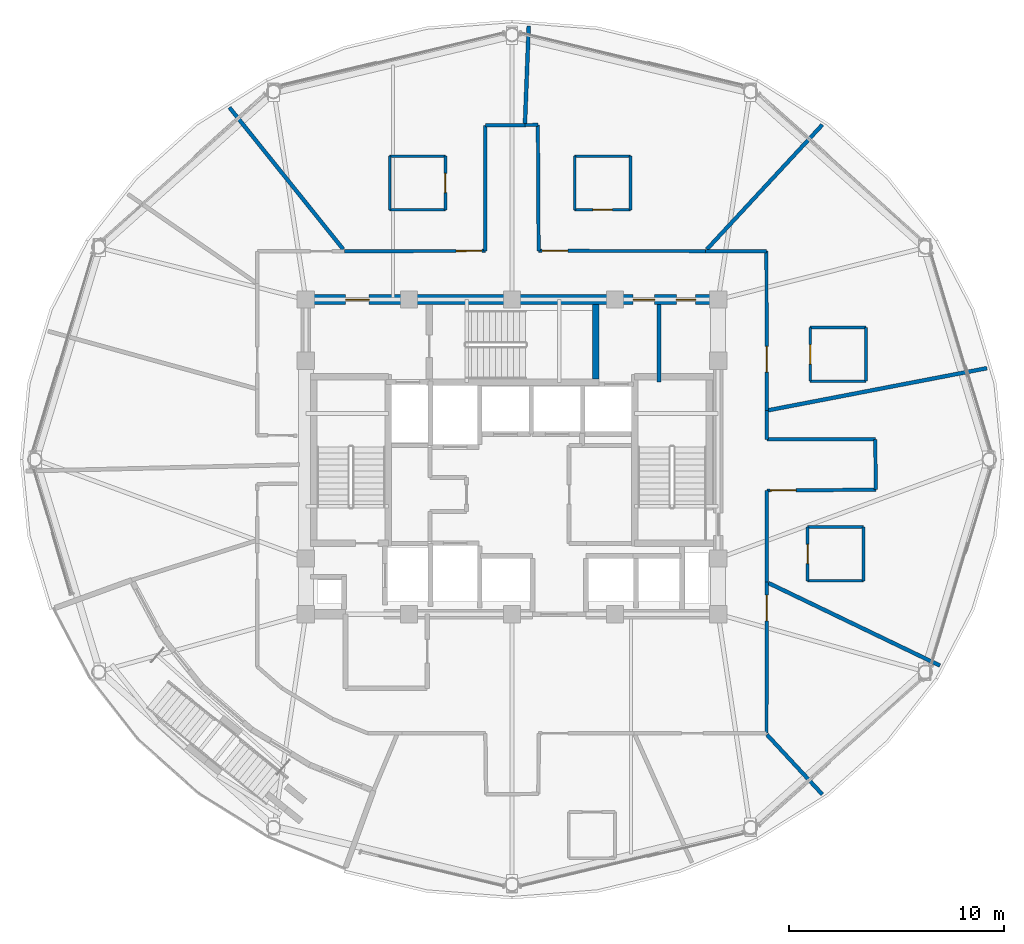
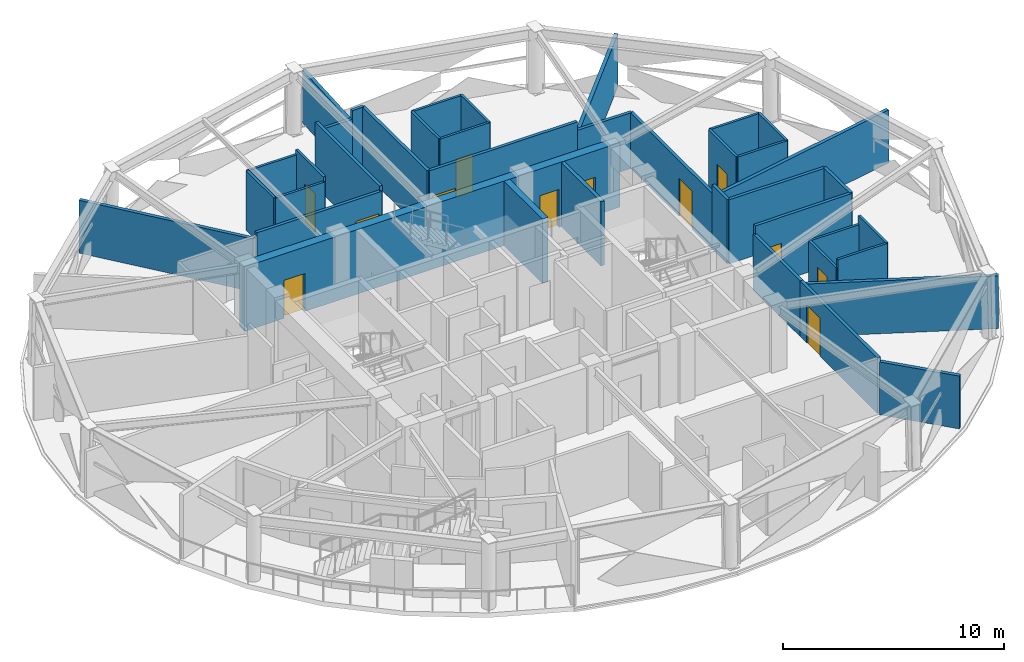
# One storey, part 12 of 17: 39 walls, 12 doors, 12 openings.
"""IFC4 building model written with IfcOpenShell, lengths in metres."""

import ifcopenshell
import ifcopenshell.guid

model = None  # the IFC model being written
_history = None  # IfcOwnerHistory: only IFC2X3 demands one
_inside = {}  # id of a spatial element -> (the spatial element, [elements in it])
_under = {}  # id of a project, library or spatial element -> (it, [spatial elements below it])
_declared = {}  # id of a project -> (the project, [libraries it declares])
_typed = {}  # id of a type object -> (the type object, [elements of that type])
_made_of = {}  # id of a material, layer set ... -> (it, [elements and type objects made of it])


def new_model(schema):
    """Start an empty IFC model of exactly this schema.

    Asked for "IFC4X3", IfcOpenShell would pick the latest addendum, in which some entities
    have other attributes; the version numbers below select the first issue.
    IFC2X3 requires an IfcOwnerHistory on every rooted entity: one is made here for all.
    """
    global model, _history
    if schema == "IFC4X3":
        model = ifcopenshell.file(schema_version=(4, 3, 0, 0))
    else:
        model = ifcopenshell.file(schema=schema)
    _inside.clear()
    _under.clear()
    _declared.clear()
    _typed.clear()
    _made_of.clear()
    _history = None
    if model.schema == "IFC2X3":
        org = make("IfcOrganization", Name="unknown")
        user = make(
            "IfcPersonAndOrganization",
            ThePerson=make("IfcPerson", FamilyName="unknown"),
            TheOrganization=org,
        )
        app = make(
            "IfcApplication",
            ApplicationDeveloper=org,
            Version="unknown",
            ApplicationFullName="unknown",
            ApplicationIdentifier="unknown",
        )
        _history = make(
            "IfcOwnerHistory",
            OwningUser=user,
            OwningApplication=app,
            ChangeAction="ADDED",
            CreationDate=0,
        )
    return model


def make(cls, **values):
    """One entity of the class cls with the attributes given. An attribute that is None is left unset."""
    return model.create_entity(
        cls, **{name: value for name, value in values.items() if value is not None}
    )


def rooted(cls, **values):
    """An entity with a GlobalId (a new one), such as an element, a storey or a relation."""
    return make(cls, GlobalId=ifcopenshell.guid.new(), OwnerHistory=_history, **values)


def si_unit(unit_type, name, prefix=None):
    """IfcSIUnit, for example si_unit("LENGTHUNIT", "METRE", prefix="MILLI")."""
    return make("IfcSIUnit", UnitType=unit_type, Prefix=prefix, Name=name)


def assignment(units):
    """IfcUnitAssignment: the units of a project."""
    return None if units is None else make("IfcUnitAssignment", Units=units)


def point(xyz):
    """IfcCartesianPoint."""
    return None if xyz is None else make("IfcCartesianPoint", Coordinates=xyz)


def direction(xyz):
    """IfcDirection."""
    return None if xyz is None else make("IfcDirection", DirectionRatios=xyz)


def frame(location, z_axis=None, x_axis=None):
    """IfcAxis2Placement3D, a coordinate frame: its origin and axes. An axis left out is left unset."""
    return make(
        "IfcAxis2Placement3D",
        Location=point(location),
        Axis=direction(z_axis),
        RefDirection=direction(x_axis),
    )


def frame_2d(location, x_axis=None):
    """IfcAxis2Placement2D, a coordinate frame in the plane: its origin and x axis."""
    return make(
        "IfcAxis2Placement2D", Location=point(location), RefDirection=direction(x_axis)
    )


def origin():
    """The frame at (0, 0, 0) with its axes left unset."""
    return frame((0.0, 0.0, 0.0))


def place(relative_to, where):
    """IfcLocalPlacement: puts the frame where relative to a parent placement (None: the world)."""
    return make(
        "IfcLocalPlacement", PlacementRelTo=relative_to, RelativePlacement=where
    )


def context(
    kind, dimensions, precision=None, world=None, true_north=None, identifier=None
):
    """IfcGeometricRepresentationContext, for example the 3D "Model" context."""
    return make(
        "IfcGeometricRepresentationContext",
        ContextIdentifier=identifier,
        ContextType=kind,
        CoordinateSpaceDimension=dimensions,
        Precision=precision,
        WorldCoordinateSystem=world,
        TrueNorth=true_north,
    )


def subcontext(parent, identifier, kind, view, scale=None):
    """IfcGeometricRepresentationSubContext, for example "Body" below "Model"."""
    return make(
        "IfcGeometricRepresentationSubContext",
        ContextIdentifier=identifier,
        ContextType=kind,
        ParentContext=parent,
        TargetScale=scale,
        TargetView=view,
    )


def project(units=None, contexts=None):
    """IfcProject with its units and contexts."""
    return rooted(
        "IfcProject",
        Name="project",
        RepresentationContexts=contexts,
        UnitsInContext=assignment(units),
    )


def spatial(cls, under=None, at=None, **own):
    """A site, building, storey or space (cls), placed at a placement, below another one or the project."""
    s = rooted(cls, ObjectPlacement=at, **own)
    if under is not None:
        _under.setdefault(under.id(), (under, []))[1].append(s)
    return s


def profile(cls, at=None, kind="AREA", **sizes):
    """A parametric profile (cls). Its sizes go by their IFC names, for example OverallWidth=200.0."""
    return make(cls, ProfileType=kind, Position=at, **sizes)


def rectangle(**sizes):
    """IfcRectangleProfileDef."""
    return profile("IfcRectangleProfileDef", **sizes)


def extrude(swept, where, along, depth):
    """IfcExtrudedAreaSolid: the profile swept, set in the frame where, extruded along a direction by depth."""
    return make(
        "IfcExtrudedAreaSolid",
        SweptArea=swept,
        Position=where,
        ExtrudedDirection=direction(along),
        Depth=depth,
    )


def shape(context_of_items, identifier, shape_type, items):
    """IfcShapeRepresentation: the items that make up one representation, for example the "Body"."""
    return make(
        "IfcShapeRepresentation",
        ContextOfItems=context_of_items,
        RepresentationIdentifier=identifier,
        RepresentationType=shape_type,
        Items=items,
    )


def material(Name=None, Category=None):
    """IfcMaterial."""
    return make("IfcMaterial", Name=Name, Category=Category)


def layer(
    of_material, thickness, ventilated=None, Name=None, Category=None, Priority=None
):
    """IfcMaterialLayer: one layer of a wall or slab, of a material (None: an air gap)."""
    return make(
        "IfcMaterialLayer",
        Material=of_material,
        LayerThickness=thickness,
        IsVentilated=ventilated,
        Name=Name,
        Category=Category,
        Priority=Priority,
    )


def layer_set(layers, Name=None):
    """IfcMaterialLayerSet."""
    return make("IfcMaterialLayerSet", MaterialLayers=layers, LayerSetName=Name)


def made_of(thing, what):
    """Note that an element or type object is made of a material, layer set ...; save() writes the relation."""
    if what is not None:
        _made_of.setdefault(what.id(), (what, []))[1].append(thing)
    return thing


def type_object(cls, material=None, **own):
    """A type object (cls), such as IfcWallType, which elements share."""
    return made_of(rooted(cls, **own), material)


def element(
    cls,
    number,
    at=None,
    inside=None,
    cuts=None,
    type_object=None,
    material=None,
    context=None,
    identifier="Body",
    shape_type=None,
    held_by="IfcProductDefinitionShape",
    body=None,
    shapes=None,
    **own,
):
    """One element of the class cls, such as IfcWall. Its Tag is "e" and its number.

    at: its placement. inside: the storey or other place that contains it. cuts: it is an
    opening in that element (IfcRelVoidsElement). A single representation is given by context,
    identifier, shape_type and body (its items); several are given by shapes. held_by: the class
    of the entity that holds the representations. save() writes the other relations.
    """
    e = rooted(cls, Tag="e%d" % number, ObjectPlacement=at, **own)
    if body is not None:
        shapes = [shape(context, identifier, shape_type, body)]
    if shapes is not None:
        e.Representation = make(held_by, Representations=shapes)
    if inside is not None:
        _inside.setdefault(inside.id(), (inside, []))[1].append(e)
    if cuts is not None:
        rooted(
            "IfcRelVoidsElement", RelatingBuildingElement=cuts, RelatedOpeningElement=e
        )
    if type_object is not None:
        _typed.setdefault(type_object.id(), (type_object, []))[1].append(e)
    return made_of(e, material)


def fill(opening, filler):
    """IfcRelFillsElement: the door or window that sits in an opening."""
    return rooted(
        "IfcRelFillsElement",
        RelatingOpeningElement=opening,
        RelatedBuildingElement=filler,
    )


def aggregate(whole, parts):
    """IfcRelAggregates: a whole, such as a stair, and the parts it consists of."""
    return rooted("IfcRelAggregates", RelatingObject=whole, RelatedObjects=parts)


def save(model, path):
    """Write the relations noted so far, then the file.

    IfcRelAggregates (storeys below a building ...), IfcRelContainedInSpatialStructure (elements
    in a storey), IfcRelDefinesByType, IfcRelAssociatesMaterial and IfcRelDeclares: one each for
    every whole, place, type object, material and project.
    """
    for whole, parts in _under.values():
        aggregate(whole, parts)
    for where, things in _inside.values():
        rooted(
            "IfcRelContainedInSpatialStructure",
            RelatedElements=things,
            RelatingStructure=where,
        )
    for kind, things in _typed.values():
        rooted("IfcRelDefinesByType", RelatedObjects=things, RelatingType=kind)
    for what, things in _made_of.values():
        rooted("IfcRelAssociatesMaterial", RelatedObjects=things, RelatingMaterial=what)
    for by, libraries in _declared.values():
        rooted("IfcRelDeclares", RelatingContext=by, RelatedDefinitions=libraries)
    model.write(path)


model = new_model("IFC4")

# Units and contexts
model_context = context("Model", 3, precision=1e-05, world=origin(), true_north=direction((0.0, 1.0)))
body_context = subcontext(model_context, "Body", "Model", "MODEL_VIEW")
ifc_project = project(units=[si_unit("LENGTHUNIT", "METRE"), si_unit("AREAUNIT", "SQUARE_METRE"), si_unit("VOLUMEUNIT", "CUBIC_METRE"), si_unit("PLANEANGLEUNIT", "RADIAN"), si_unit("MASSUNIT", "GRAM", prefix="KILO")], contexts=[model_context])

# Site, building, storey
site_placement = place(None, origin())
site = spatial("IfcSite", under=ifc_project, at=site_placement, CompositionType="ELEMENT")
building_placement = place(site_placement, origin())
building = spatial("IfcBuilding", under=site, at=building_placement, Name="Vantalir Tower", CompositionType="ELEMENT")
storey_placement = place(building_placement, frame((0.0, 0.0, 208.64990234375)))
storey = spatial("IfcBuildingStorey", under=building, at=storey_placement, Name="L52", CompositionType="ELEMENT", Elevation=208.64990234375)

# Walls
ifc_material_1 = material(Name="Moisture-resistant en-suite partition", Category="gypsum")
ifc_layer_1 = layer(ifc_material_1, 0.125)
ifc_layer_set_1 = layer_set([ifc_layer_1], Name="Moisture-resistant en-suite partition")
wall_type_1 = type_object("IfcWallType", Name="WL-BATH-125", PredefinedType="PARTITIONING", material=ifc_layer_set_1)
for number, where, z_axis, x_axis, name in (
    (1, (45.385986328125, 28.64990234375, 0.0), (0.0, 0.0, 1.0), (1.0, 0.0, 0.0), "L52 En-suite 01 South Wall"),
    (2, (45.385986328125, 31.14990234375, 0.0), (0.0, 0.0, 1.0), (1.0, 0.0, 0.0), "L52 En-suite 01 North Wall"),
):
    element("IfcWall", number, at=place(storey_placement, frame(where, z_axis=z_axis, x_axis=x_axis)), inside=storey, type_object=wall_type_1, Name=name, PredefinedType="PARTITIONING", context=body_context, shape_type="SweptSolid", body=[
        extrude(rectangle(XDim=2.60009765625, YDim=0.125, at=frame_2d((1.300048828125, 0.0))), origin(), (0.0, 0.0, 1.0), 3.550048828125),
    ])

# Wall, opening, door
wall_1_placement = place(storey_placement, frame((45.385986328125, 28.64990234375, 0.0), z_axis=(0.0, 0.0, 1.0), x_axis=(0.0, 1.0, 0.0)))
wall_1 = element("IfcWall", 3, at=wall_1_placement, inside=storey, type_object=wall_type_1, Name="L52 En-suite 01 West Wall", PredefinedType="PARTITIONING", context=body_context, shape_type="SweptSolid", body=[
    extrude(rectangle(XDim=2.5, YDim=0.125, at=frame_2d((1.25, 0.0))), origin(), (0.0, 0.0, 1.0), 3.550048828125),
])
opening_1_placement = place(wall_1_placement, frame((0.800048828125, 0.0, 0.0)))
opening_1 = element("IfcOpeningElement", 4, at=opening_1_placement, cuts=wall_1, Name="Opening D-WC", PredefinedType="OPENING", context=body_context, shape_type="SweptSolid", body=[
    extrude(rectangle(XDim=0.89990234375, YDim=2.10009765625, at=frame_2d((0.449951171875, 1.050048828125))), frame((0.0, 0.072509765625, 0.0), z_axis=(0.0, -1.0, 0.0), x_axis=(1.0, 0.0, 0.0)), (0.0, 0.0, 1.0), 0.14501953125),
])
ifc_material_2 = material(Name="Moisture-resistant hardwood door", Category="wood")
door_type_1 = type_object("IfcDoorType", Name="DR-ENSUITE-900", OperationType="NOTDEFINED", PredefinedType="DOOR", material=ifc_material_2)
door_1_placement = place(opening_1_placement, frame((0.89990234375, 0.0, 0.0), z_axis=(0.0, 0.0, 1.0), x_axis=(-1.0, 0.0, 0.0)))
door_1 = element("IfcDoor", 5, at=door_1_placement, inside=storey, type_object=door_type_1, Name="L52 En-suite 01 Door", OperationType="SINGLE_SWING_RIGHT", OverallHeight=2.10009765625, OverallWidth=0.89990234375, PredefinedType="DOOR", context=body_context, shape_type="SweptSolid", body=[
    extrude(rectangle(XDim=0.89990234375, YDim=2.10009765625, at=frame_2d((0.449951171875, 1.050048828125))), frame((0.0, 0.02490234375, 0.0), z_axis=(0.0, -1.0, 0.0), x_axis=(1.0, 0.0, 0.0)), (0.0, 0.0, 1.0), 0.050048828125),
])
fill(opening_1, door_1)

# Wall
wall_2_placement = place(storey_placement, frame((47.986083984375, 28.64990234375, 0.0), z_axis=(0.0, 0.0, 1.0), x_axis=(0.0, 1.0, 0.0)))
element("IfcWall", 6, at=wall_2_placement, inside=storey, type_object=wall_type_1, Name="L52 En-suite 01 East Wall", PredefinedType="PARTITIONING", context=body_context, shape_type="SweptSolid", body=[
    extrude(rectangle(XDim=2.5, YDim=0.125, at=frame_2d((1.25, 0.0))), origin(), (0.0, 0.0, 1.0), 3.550048828125),
])

# Wall, opening, door
wall_3_placement = place(storey_placement, frame((34.4208984375, 36.6279296875, 0.0), z_axis=(0.0, 0.0, 1.0), x_axis=(1.0, 0.0, 0.0)))
wall_3 = element("IfcWall", 7, at=wall_3_placement, inside=storey, type_object=wall_type_1, Name="L52 En-suite 02 South Wall", PredefinedType="PARTITIONING", context=body_context, shape_type="SweptSolid", body=[
    extrude(rectangle(XDim=2.60009765625, YDim=0.125, at=frame_2d((1.300048828125, 0.0))), origin(), (0.0, 0.0, 1.0), 3.550048828125),
])
opening_2_placement = place(wall_3_placement, frame((0.85009765625, 0.0, 0.0)))
opening_2 = element("IfcOpeningElement", 8, at=opening_2_placement, cuts=wall_3, Name="Opening D-WC", PredefinedType="OPENING", context=body_context, shape_type="SweptSolid", body=[
    extrude(rectangle(XDim=0.89990234375, YDim=2.10009765625, at=frame_2d((0.449951171875, 1.050048828125))), frame((0.0, 0.072509765625, 0.0), z_axis=(0.0, -1.0, 0.0), x_axis=(1.0, 0.0, 0.0)), (0.0, 0.0, 1.0), 0.14501953125),
])
door_2_placement = place(opening_2_placement, origin())
door_2 = element("IfcDoor", 9, at=door_2_placement, inside=storey, type_object=door_type_1, Name="L52 En-suite 02 Door", OperationType="SINGLE_SWING_LEFT", OverallHeight=2.10009765625, OverallWidth=0.89990234375, PredefinedType="DOOR", context=body_context, shape_type="SweptSolid", body=[
    extrude(rectangle(XDim=0.89990234375, YDim=2.10009765625, at=frame_2d((0.449951171875, 1.050048828125))), frame((0.0, 0.02490234375, 0.0), z_axis=(0.0, -1.0, 0.0), x_axis=(1.0, 0.0, 0.0)), (0.0, 0.0, 1.0), 0.050048828125),
])
fill(opening_2, door_2)

# Walls
wall_4_placement = place(storey_placement, frame((34.4208984375, 39.1279296875, 0.0), z_axis=(0.0, 0.0, 1.0), x_axis=(1.0, 0.0, 0.0)))
element("IfcWall", 10, at=wall_4_placement, inside=storey, type_object=wall_type_1, Name="L52 En-suite 02 North Wall", PredefinedType="PARTITIONING", context=body_context, shape_type="SweptSolid", body=[
    extrude(rectangle(XDim=2.60009765625, YDim=0.125, at=frame_2d((1.300048828125, 0.0))), origin(), (0.0, 0.0, 1.0), 3.550048828125),
])
for number, where, z_axis, x_axis, name in (
    (11, (34.4208984375, 36.6279296875, 0.0), (0.0, 0.0, 1.0), (0.0, 1.0, 0.0), "L52 En-suite 02 West Wall"),
    (12, (37.02099609375, 36.6279296875, 0.0), (0.0, 0.0, 1.0), (0.0, 1.0, 0.0), "L52 En-suite 02 East Wall"),
):
    element("IfcWall", number, at=place(storey_placement, frame(where, z_axis=z_axis, x_axis=x_axis)), inside=storey, type_object=wall_type_1, Name=name, PredefinedType="PARTITIONING", context=body_context, shape_type="SweptSolid", body=[
        extrude(rectangle(XDim=2.5, YDim=0.125, at=frame_2d((1.25, 0.0))), origin(), (0.0, 0.0, 1.0), 3.550048828125),
    ])
for number, where, z_axis, x_axis, name in (
    (13, (25.801025390625, 36.6279296875, 0.0), (0.0, 0.0, 1.0), (1.0, 0.0, 0.0), "L52 En-suite 03 South Wall"),
    (14, (25.801025390625, 39.1279296875, 0.0), (0.0, 0.0, 1.0), (1.0, 0.0, 0.0), "L52 En-suite 03 North Wall"),
):
    element("IfcWall", number, at=place(storey_placement, frame(where, z_axis=z_axis, x_axis=x_axis)), inside=storey, type_object=wall_type_1, Name=name, PredefinedType="PARTITIONING", context=body_context, shape_type="SweptSolid", body=[
        extrude(rectangle(XDim=2.599853515625, YDim=0.125, at=frame_2d((1.2998046875, 0.0))), origin(), (0.0, 0.0, 1.0), 3.2890625),
    ])
wall_5_placement = place(storey_placement, frame((25.801025390625, 36.6279296875, 0.0), z_axis=(0.0, 0.0, 1.0), x_axis=(0.0, 1.0, 0.0)))
element("IfcWall", 15, at=wall_5_placement, inside=storey, type_object=wall_type_1, Name="L52 En-suite 03 West Wall", PredefinedType="PARTITIONING", context=body_context, shape_type="SweptSolid", body=[
    extrude(rectangle(XDim=2.5, YDim=0.125, at=frame_2d((1.25, 0.0))), origin(), (0.0, 0.0, 1.0), 3.2890625),
])

# Wall, opening, door
wall_6_placement = place(storey_placement, frame((28.40087890625, 36.6279296875, 0.0), z_axis=(0.0, 0.0, 1.0), x_axis=(0.0, 1.0, 0.0)))
wall_6 = element("IfcWall", 16, at=wall_6_placement, inside=storey, type_object=wall_type_1, Name="L52 En-suite 03 East Wall", PredefinedType="PARTITIONING", context=body_context, shape_type="SweptSolid", body=[
    extrude(rectangle(XDim=2.5, YDim=0.125, at=frame_2d((1.25, 0.0))), origin(), (0.0, 0.0, 1.0), 3.550048828125),
])
opening_3_placement = place(wall_6_placement, frame((0.800048828125, 0.0, 0.0)))
opening_3 = element("IfcOpeningElement", 17, at=opening_3_placement, cuts=wall_6, Name="Opening D-WC", PredefinedType="OPENING", context=body_context, shape_type="SweptSolid", body=[
    extrude(rectangle(XDim=0.89990234375, YDim=2.10009765625, at=frame_2d((0.449951171875, 1.050048828125))), frame((0.0, 0.072509765625, 0.0), z_axis=(0.0, -1.0, 0.0), x_axis=(1.0, 0.0, 0.0)), (0.0, 0.0, 1.0), 0.14501953125),
])
door_3_placement = place(opening_3_placement, origin())
door_3 = element("IfcDoor", 18, at=door_3_placement, inside=storey, type_object=door_type_1, Name="L52 En-suite 03 Door", OperationType="SINGLE_SWING_RIGHT", OverallHeight=2.10009765625, OverallWidth=0.89990234375, PredefinedType="DOOR", context=body_context, shape_type="SweptSolid", body=[
    extrude(rectangle(XDim=0.89990234375, YDim=2.10009765625, at=frame_2d((0.449951171875, 1.050048828125))), frame((0.0, 0.02490234375, 0.0), z_axis=(0.0, -1.0, 0.0), x_axis=(1.0, 0.0, 0.0)), (0.0, 0.0, 1.0), 0.050048828125),
])
fill(opening_3, door_3)

# Walls
wall_7_placement = place(storey_placement, frame((45.262939453125, 19.35693359375, 0.0), z_axis=(0.0, 0.0, 1.0), x_axis=(1.0, 0.0, 0.0)))
element("IfcWall", 19, at=wall_7_placement, inside=storey, type_object=wall_type_1, Name="L52 En-suite 12 South Wall", PredefinedType="PARTITIONING", context=body_context, shape_type="SweptSolid", body=[
    extrude(rectangle(XDim=2.60009765625, YDim=0.125, at=frame_2d((1.300048828125, 0.0))), origin(), (0.0, 0.0, 1.0), 3.550048828125),
])
wall_8_placement = place(storey_placement, frame((45.262939453125, 21.85693359375, 0.0), z_axis=(0.0, 0.0, 1.0), x_axis=(1.0, 0.0, 0.0)))
element("IfcWall", 20, at=wall_8_placement, inside=storey, type_object=wall_type_1, Name="L52 En-suite 12 North Wall", PredefinedType="PARTITIONING", context=body_context, shape_type="SweptSolid", body=[
    extrude(rectangle(XDim=2.60009765625, YDim=0.125, at=frame_2d((1.300048828125, 0.0))), origin(), (0.0, 0.0, 1.0), 3.0810546875),
])

# Wall, opening, door
wall_9_placement = place(storey_placement, frame((45.262939453125, 19.35693359375, 0.0), z_axis=(0.0, 0.0, 1.0), x_axis=(0.0, 1.0, 0.0)))
wall_9 = element("IfcWall", 21, at=wall_9_placement, inside=storey, type_object=wall_type_1, Name="L52 En-suite 12 West Wall", PredefinedType="PARTITIONING", context=body_context, shape_type="SweptSolid", body=[
    extrude(rectangle(XDim=2.5, YDim=0.125, at=frame_2d((1.25, 0.0))), origin(), (0.0, 0.0, 1.0), 3.0810546875),
])
opening_4_placement = place(wall_9_placement, frame((0.800048828125, 0.0, 0.0)))
opening_4 = element("IfcOpeningElement", 22, at=opening_4_placement, cuts=wall_9, Name="Opening D-WC", PredefinedType="OPENING", context=body_context, shape_type="SweptSolid", body=[
    extrude(rectangle(XDim=0.89990234375, YDim=2.10009765625, at=frame_2d((0.449951171875, 1.050048828125))), frame((0.0, 0.072509765625, 0.0), z_axis=(0.0, -1.0, 0.0), x_axis=(1.0, 0.0, 0.0)), (0.0, 0.0, 1.0), 0.14501953125),
])
door_4_placement = place(opening_4_placement, frame((0.89990234375, 0.0, 0.0), z_axis=(0.0, 0.0, 1.0), x_axis=(-1.0, 0.0, 0.0)))
door_4 = element("IfcDoor", 23, at=door_4_placement, inside=storey, type_object=door_type_1, Name="L52 En-suite 12 Door", OperationType="SINGLE_SWING_LEFT", OverallHeight=2.10009765625, OverallWidth=0.89990234375, PredefinedType="DOOR", context=body_context, shape_type="SweptSolid", body=[
    extrude(rectangle(XDim=0.89990234375, YDim=2.10009765625, at=frame_2d((0.449951171875, 1.050048828125))), frame((0.0, 0.02490234375, 0.0), z_axis=(0.0, -1.0, 0.0), x_axis=(1.0, 0.0, 0.0)), (0.0, 0.0, 1.0), 0.050048828125),
])
fill(opening_4, door_4)

# Wall
wall_10_placement = place(storey_placement, frame((47.863037109375, 19.35693359375, 0.0), z_axis=(0.0, 0.0, 1.0), x_axis=(0.0, 1.0, 0.0)))
element("IfcWall", 24, at=wall_10_placement, inside=storey, type_object=wall_type_1, Name="L52 En-suite 12 East Wall", PredefinedType="PARTITIONING", context=body_context, shape_type="SweptSolid", body=[
    extrude(rectangle(XDim=2.5, YDim=0.125, at=frame_2d((1.25, 0.0))), origin(), (0.0, 0.0, 1.0), 3.550048828125),
])

# Wall, openings, doors
ifc_material_3 = material(Name="Concrete C50/60", Category="concrete")
ifc_layer_2 = layer(ifc_material_3, 0.449951171875)
ifc_layer_set_2 = layer_set([ifc_layer_2], Name="Concrete C50/60")
wall_type_2 = type_object("IfcWallType", Name="WL-CORE-450", PredefinedType="SHEAR", material=ifc_layer_set_2)
wall_11_placement = place(storey_placement, frame((21.675048828125, 32.449951171875, 0.0), z_axis=(0.0, 0.0, 1.0), x_axis=(1.0, 0.0, 0.0)))
wall_11 = element("IfcWall", 25, at=wall_11_placement, inside=storey, type_object=wall_type_2, Name="L52 Core Shear Wall North", PredefinedType="SHEAR", context=body_context, shape_type="SweptSolid", body=[
    extrude(rectangle(XDim=19.64990234375, YDim=0.449951171875, at=frame_2d((9.824951171875, 0.0))), origin(), (0.0, 0.0, 1.0), 3.570068359375),
])
opening_5_placement = place(wall_11_placement, frame((2.074951171875, 0.0, 0.0)))
opening_5 = element("IfcOpeningElement", 26, at=opening_5_placement, cuts=wall_11, Name="Opening D-FFL", PredefinedType="OPENING", context=body_context, shape_type="SweptSolid", body=[
    extrude(rectangle(XDim=1.10009765625, YDim=2.10009765625, at=frame_2d((0.550048828125, 1.050048828125))), frame((0.0, 0.23486328125, 0.0), z_axis=(0.0, -1.0, 0.0), x_axis=(1.0, 0.0, 0.0)), (0.0, 0.0, 1.0), 0.469970703125),
])
opening_6_placement = place(wall_11_placement, frame((15.465087890625, 0.0, 0.0)))
opening_6 = element("IfcOpeningElement", 27, at=opening_6_placement, cuts=wall_11, Name="Opening D-GUEST", PredefinedType="OPENING", context=body_context, shape_type="SweptSolid", body=[
    extrude(rectangle(XDim=1.0, YDim=2.10009765625, at=frame_2d((0.5, 1.050048828125))), frame((0.0, 0.23486328125, 0.0), z_axis=(0.0, -1.0, 0.0), x_axis=(1.0, 0.0, 0.0)), (0.0, 0.0, 1.0), 0.469970703125),
])
opening_7_placement = place(wall_11_placement, frame((17.47509765625, 0.0, 0.0)))
opening_7 = element("IfcOpeningElement", 28, at=opening_7_placement, cuts=wall_11, Name="Opening D-CR", PredefinedType="OPENING", context=body_context, shape_type="SweptSolid", body=[
    extrude(rectangle(XDim=0.89990234375, YDim=2.10009765625, at=frame_2d((0.449951171875, 1.050048828125))), frame((0.0, 0.23486328125, 0.0), z_axis=(0.0, -1.0, 0.0), x_axis=(1.0, 0.0, 0.0)), (0.0, 0.0, 1.0), 0.469970703125),
])
ifc_material_4 = material(Name="Fire-rated steel core service door", Category="steel")
door_type_2 = type_object("IfcDoorType", Name="DR-CORE-SERV-900", OperationType="NOTDEFINED", PredefinedType="DOOR", material=ifc_material_4)
door_5_placement = place(opening_7_placement, frame((0.89990234375, 0.0, 0.0), z_axis=(0.0, 0.0, 1.0), x_axis=(-1.0, 0.0, 0.0)))
door_5 = element("IfcDoor", 29, at=door_5_placement, inside=storey, type_object=door_type_2, Name="L52 Housekeeping and Linen Room Door", OperationType="SINGLE_SWING_RIGHT", OverallHeight=2.10009765625, OverallWidth=0.89990234375, PredefinedType="DOOR", context=body_context, shape_type="SweptSolid", body=[
    extrude(rectangle(XDim=0.89990234375, YDim=2.10009765625, at=frame_2d((0.449951171875, 1.050048828125))), frame((0.0, 0.02490234375, 0.0), z_axis=(0.0, -1.0, 0.0), x_axis=(1.0, 0.0, 0.0)), (0.0, 0.0, 1.0), 0.050048828125),
])
fill(opening_7, door_5)
ifc_material_5 = material(Name="Fire-rated acoustic steel door", Category="steel")
door_type_3 = type_object("IfcDoorType", Name="DR-FIRE-LOBBY-1100", OperationType="NOTDEFINED", PredefinedType="DOOR", material=ifc_material_5)
door_6_placement = place(opening_5_placement, frame((1.10009765625, 0.0, 0.0), z_axis=(0.0, 0.0, 1.0), x_axis=(-1.0, 0.0, 0.0)))
door_6 = element("IfcDoor", 30, at=door_6_placement, inside=storey, type_object=door_type_3, Name="L52 Firefighting Lobby East Access Door", OperationType="SINGLE_SWING_RIGHT", OverallHeight=2.10009765625, OverallWidth=1.10009765625, PredefinedType="DOOR", context=body_context, shape_type="SweptSolid", body=[
    extrude(rectangle(XDim=1.10009765625, YDim=2.10009765625, at=frame_2d((0.550048828125, 1.050048828125))), frame((0.0, 0.02490234375, 0.0), z_axis=(0.0, -1.0, 0.0), x_axis=(1.0, 0.0, 0.0)), (0.0, 0.0, 1.0), 0.050048828125),
])
fill(opening_5, door_6)
ifc_material_6 = material(Name="Solid-core teak veneer acoustic fire door", Category="wood")
door_type_4 = type_object("IfcDoorType", Name="DR-GUEST-ENTRY-1000", OperationType="NOTDEFINED", PredefinedType="DOOR", material=ifc_material_6)
door_7_placement = place(opening_6_placement, frame((1.0, 0.0, 0.0), z_axis=(0.0, 0.0, 1.0), x_axis=(-1.0, 0.0, 0.0)))
door_7 = element("IfcDoor", 31, at=door_7_placement, inside=storey, type_object=door_type_4, Name="L52 High-Rise Lift Lobby Door", OperationType="SINGLE_SWING_LEFT", OverallHeight=2.10009765625, OverallWidth=1.0, PredefinedType="DOOR", context=body_context, shape_type="SweptSolid", body=[
    extrude(rectangle(XDim=1.0, YDim=2.10009765625, at=frame_2d((0.5, 1.050048828125))), frame((0.0, 0.02490234375, 0.0), z_axis=(0.0, -1.0, 0.0), x_axis=(1.0, 0.0, 0.0)), (0.0, 0.0, 1.0), 0.050048828125),
])
fill(opening_6, door_7)

# Wall, opening, door
ifc_material_7 = material(Name="Fire-rated hotel corridor acoustic partition", Category="gypsum")
ifc_layer_3 = layer(ifc_material_7, 0.159912109375)
ifc_layer_set_3 = layer_set([ifc_layer_3], Name="Fire-rated hotel corridor acoustic partition")
wall_type_3 = type_object("IfcWallType", Name="WL-CORR-160", PredefinedType="PARTITIONING", material=ifc_layer_set_3)
wall_12_placement = place(storey_placement, frame((23.7109375, 34.7060546875, 0.0), z_axis=(0.0, 0.0, 1.0), x_axis=(0.999999048753, 0.001379309033, 0.0)))
wall_12 = element("IfcWall", 32, at=wall_12_placement, inside=storey, type_object=wall_type_3, Name="L52 Corridor Partition 06", PredefinedType="PARTITIONING", context=body_context, shape_type="SweptSolid", body=[
    extrude(rectangle(XDim=6.549072265625, YDim=0.159912109375, at=frame_2d((3.2744140625, 0.0))), origin(), (0.0, 0.0, 1.0), 3.2890625),
])
opening_8_placement = place(wall_12_placement, frame((5.18896484375, 0.0, 0.0)))
opening_8 = element("IfcOpeningElement", 33, at=opening_8_placement, cuts=wall_12, Name="Opening D-STE", PredefinedType="OPENING", context=body_context, shape_type="SweptSolid", body=[
    extrude(rectangle(XDim=1.199951171875, YDim=2.10009765625, at=frame_2d((0.60009765625, 1.050048828125))), frame((0.0, 0.08984375, 0.0), z_axis=(0.0, -1.0, 0.0), x_axis=(1.0, 0.0, 0.0)), (0.0, 0.0, 1.0), 0.179931640625),
])
ifc_material_8 = material(Name="Solid-core teak veneer suite entrance door", Category="wood")
door_type_5 = type_object("IfcDoorType", Name="DR-SUITE-ENTRY-1200", OperationType="NOTDEFINED", PredefinedType="DOOR", material=ifc_material_8)
door_8_placement = place(opening_8_placement, origin())
door_8 = element("IfcDoor", 34, at=door_8_placement, inside=storey, type_object=door_type_5, Name="L52 Corner Panorama Hotel Suite 03 Door", OperationType="SINGLE_SWING_RIGHT", OverallHeight=2.10009765625, OverallWidth=1.199951171875, PredefinedType="DOOR", context=body_context, shape_type="SweptSolid", body=[
    extrude(rectangle(XDim=1.199951171875, YDim=2.10009765625, at=frame_2d((0.60009765625, 1.050048828125))), frame((0.0, 0.02490234375, 0.0), z_axis=(0.0, -1.0, 0.0), x_axis=(1.0, 0.0, 0.0)), (0.0, 0.0, 1.0), 0.050048828125),
])
fill(opening_8, door_8)

# Walls
wall_13_placement = place(storey_placement, frame((30.260009765625, 34.715087890625, 0.0), z_axis=(0.0, 0.0, 1.0), x_axis=(0.000501399678, 0.999999874299, 0.0)))
element("IfcWall", 35, at=wall_13_placement, inside=storey, type_object=wall_type_3, Name="L52 Corridor Partition 07", PredefinedType="PARTITIONING", context=body_context, shape_type="SweptSolid", body=[
    extrude(rectangle(XDim=5.843017578125, YDim=0.159912109375, at=frame_2d((2.92138671875, 0.0))), origin(), (0.0, 0.0, 1.0), 3.550048828125),
])
wall_14_placement = place(storey_placement, frame((30.262939453125, 40.55810546875, 0.0), z_axis=(0.0, 0.0, 1.0), x_axis=(0.999947707092, 0.01022658699, 0.0)))
element("IfcWall", 36, at=wall_14_placement, inside=storey, type_object=wall_type_3, Name="L52 Corridor Partition 08", PredefinedType="PARTITIONING", context=body_context, shape_type="SweptSolid", body=[
    extrude(rectangle(XDim=1.838134765625, YDim=0.159912109375, at=frame_2d((0.9189453125, 0.0))), origin(), (0.0, 0.0, 1.0), 3.0810546875),
])
wall_15_placement = place(storey_placement, frame((32.10107421875, 40.576904296875, 0.0), z_axis=(0.0, 0.0, 1.0), x_axis=(0.999948781984, 0.010120939089, 0.0)))
element("IfcWall", 37, at=wall_15_placement, inside=storey, type_object=wall_type_3, Name="L52 Corridor Partition 09", PredefinedType="PARTITIONING", context=body_context, shape_type="SweptSolid", body=[
    extrude(rectangle(XDim=0.60302734375, YDim=0.159912109375, at=frame_2d((0.301513671875, 0.0))), origin(), (0.0, 0.0, 1.0), 3.550048828125),
])
wall_16_placement = place(storey_placement, frame((32.7041015625, 40.5830078125, 0.0), z_axis=(0.0, 0.0, 1.0), x_axis=(0.006115966328, -0.999981297303, 0.0)))
element("IfcWall", 38, at=wall_16_placement, inside=storey, type_object=wall_type_3, Name="L52 Corridor Partition 10", PredefinedType="PARTITIONING", context=body_context, shape_type="SweptSolid", body=[
    extrude(rectangle(XDim=5.867919921875, YDim=0.159912109375, at=frame_2d((2.93408203125, 0.0))), origin(), (0.0, 0.0, 1.0), 3.550048828125),
])

# Wall, opening, door
wall_17_placement = place(storey_placement, frame((32.739990234375, 34.715087890625, 0.0), z_axis=(0.0, 0.0, 1.0), x_axis=(0.999999781745, -0.00066068886, 0.0)))
wall_17 = element("IfcWall", 39, at=wall_17_placement, inside=storey, type_object=wall_type_3, Name="L52 Corridor Partition 11", PredefinedType="PARTITIONING", context=body_context, shape_type="SweptSolid", body=[
    extrude(rectangle(XDim=7.760009765625, YDim=0.159912109375, at=frame_2d((3.8798828125, 0.0))), origin(), (0.0, 0.0, 1.0), 3.550048828125),
])
opening_9_placement = place(wall_17_placement, frame((0.159912109375, 0.0, 0.0)))
opening_9 = element("IfcOpeningElement", 40, at=opening_9_placement, cuts=wall_17, Name="Opening D-STE", PredefinedType="OPENING", context=body_context, shape_type="SweptSolid", body=[
    extrude(rectangle(XDim=1.199951171875, YDim=2.10009765625, at=frame_2d((0.60009765625, 1.050048828125))), frame((0.0, 0.08984375, 0.0), z_axis=(0.0, -1.0, 0.0), x_axis=(1.0, 0.0, 0.0)), (0.0, 0.0, 1.0), 0.179931640625),
])
door_9_placement = place(opening_9_placement, origin())
door_9 = element("IfcDoor", 41, at=door_9_placement, inside=storey, type_object=door_type_5, Name="L52 Executive Club Hotel Suite 02 Door", OperationType="SINGLE_SWING_LEFT", OverallHeight=2.10009765625, OverallWidth=1.199951171875, PredefinedType="DOOR", context=body_context, shape_type="SweptSolid", body=[
    extrude(rectangle(XDim=1.199951171875, YDim=2.10009765625, at=frame_2d((0.60009765625, 1.050048828125))), frame((0.0, 0.02490234375, 0.0), z_axis=(0.0, -1.0, 0.0), x_axis=(1.0, 0.0, 0.0)), (0.0, 0.0, 1.0), 0.050048828125),
])
fill(opening_9, door_9)

# Wall
wall_18_placement = place(storey_placement, frame((40.5, 34.7099609375, 0.0), z_axis=(0.0, 0.0, 1.0), x_axis=(0.999999764669, -0.000686047347, 0.0)))
element("IfcWall", 42, at=wall_18_placement, inside=storey, type_object=wall_type_3, Name="L52 Corridor Partition 12", PredefinedType="PARTITIONING", context=body_context, shape_type="SweptSolid", body=[
    extrude(rectangle(XDim=2.846923828125, YDim=0.159912109375, at=frame_2d((1.42333984375, 0.0))), origin(), (0.0, 0.0, 1.0), 3.0810546875),
])

# Wall, opening, door
wall_19_placement = place(storey_placement, frame((43.346923828125, 34.7080078125, 0.0), z_axis=(0.0, 0.0, 1.0), x_axis=(0.002038597678, -0.999997922058, 0.0)))
wall_19 = element("IfcWall", 43, at=wall_19_placement, inside=storey, type_object=wall_type_3, Name="L52 Corridor Partition 13", PredefinedType="PARTITIONING", context=body_context, shape_type="SweptSolid", body=[
    extrude(rectangle(XDim=7.425048828125, YDim=0.159912109375, at=frame_2d((3.71240234375, 0.0))), origin(), (0.0, 0.0, 1.0), 3.0810546875),
])
opening_10_placement = place(wall_19_placement, frame((4.44091796875, 0.0, 0.0)))
opening_10 = element("IfcOpeningElement", 44, at=opening_10_placement, cuts=wall_19, Name="Opening D-STE", PredefinedType="OPENING", context=body_context, shape_type="SweptSolid", body=[
    extrude(rectangle(XDim=1.199951171875, YDim=2.10009765625, at=frame_2d((0.60009765625, 1.050048828125))), frame((0.0, 0.08984375, 0.0), z_axis=(0.0, -1.0, 0.0), x_axis=(1.0, 0.0, 0.0)), (0.0, 0.0, 1.0), 0.179931640625),
])
door_10_placement = place(opening_10_placement, origin())
door_10 = element("IfcDoor", 45, at=door_10_placement, inside=storey, type_object=door_type_5, Name="L52 Corner Panorama Hotel Suite 01 Door", OperationType="SINGLE_SWING_RIGHT", OverallHeight=2.10009765625, OverallWidth=1.199951171875, PredefinedType="DOOR", context=body_context, shape_type="SweptSolid", body=[
    extrude(rectangle(XDim=1.199951171875, YDim=2.10009765625, at=frame_2d((0.60009765625, 1.050048828125))), frame((0.0, 0.02490234375, 0.0), z_axis=(0.0, -1.0, 0.0), x_axis=(1.0, 0.0, 0.0)), (0.0, 0.0, 1.0), 0.050048828125),
])
fill(opening_10, door_10)

# Walls
wall_20_placement = place(storey_placement, frame((43.362060546875, 27.282958984375, 0.0), z_axis=(0.0, 0.0, 1.0), x_axis=(0.002181416369, -0.999997620708, 0.0)))
element("IfcWall", 46, at=wall_20_placement, inside=storey, type_object=wall_type_3, Name="L52 Corridor Partition 14", PredefinedType="PARTITIONING", context=body_context, shape_type="SweptSolid", body=[
    extrude(rectangle(XDim=1.343017578125, YDim=0.159912109375, at=frame_2d((0.67138671875, 0.0))), origin(), (0.0, 0.0, 1.0), 3.550048828125),
])
wall_21_placement = place(storey_placement, frame((43.364990234375, 25.93994140625, 0.0), z_axis=(0.0, 0.0, 1.0), x_axis=(0.999999831724, -0.000580130432, 0.0)))
element("IfcWall", 47, at=wall_21_placement, inside=storey, type_object=wall_type_3, Name="L52 Corridor Partition 15", PredefinedType="PARTITIONING", context=body_context, shape_type="SweptSolid", body=[
    extrude(rectangle(XDim=5.050048828125, YDim=0.159912109375, at=frame_2d((2.52490234375, 0.0))), origin(), (0.0, 0.0, 1.0), 3.550048828125),
])
wall_22_placement = place(storey_placement, frame((48.4150390625, 25.93701171875, 0.0), z_axis=(0.0, 0.0, 1.0), x_axis=(0.010636586698, -0.999943429912, 0.0)))
element("IfcWall", 48, at=wall_22_placement, inside=storey, type_object=wall_type_3, Name="L52 Corridor Partition 16", PredefinedType="PARTITIONING", context=body_context, shape_type="SweptSolid", body=[
    extrude(rectangle(XDim=2.34130859375, YDim=0.159912109375, at=frame_2d((1.170654296875, 0.0))), origin(), (0.0, 0.0, 1.0), 3.550048828125),
])

# Wall, opening, door
wall_23_placement = place(storey_placement, frame((48.43994140625, 23.595947265625, 0.0), z_axis=(0.0, 0.0, 1.0), x_axis=(-0.999974996273, -0.007071550702, 0.0)))
wall_23 = element("IfcWall", 49, at=wall_23_placement, inside=storey, type_object=wall_type_3, Name="L52 Corridor Partition 17", PredefinedType="PARTITIONING", context=body_context, shape_type="SweptSolid", body=[
    extrude(rectangle(XDim=5.0751953125, YDim=0.159912109375, at=frame_2d((2.53759765625, 0.0))), origin(), (0.0, 0.0, 1.0), 3.550048828125),
])
opening_11_placement = place(wall_23_placement, frame((3.715087890625, 0.0, 0.0)))
opening_11 = element("IfcOpeningElement", 50, at=opening_11_placement, cuts=wall_23, Name="Opening D-STE", PredefinedType="OPENING", context=body_context, shape_type="SweptSolid", body=[
    extrude(rectangle(XDim=1.199951171875, YDim=2.10009765625, at=frame_2d((0.60009765625, 1.050048828125))), frame((0.0, 0.08984375, 0.0), z_axis=(0.0, -1.0, 0.0), x_axis=(1.0, 0.0, 0.0)), (0.0, 0.0, 1.0), 0.179931640625),
])
door_11_placement = place(opening_11_placement, origin())
door_11 = element("IfcDoor", 51, at=door_11_placement, inside=storey, type_object=door_type_5, Name="L52 Executive Club Hotel Suite 12 Door", OperationType="SINGLE_SWING_LEFT", OverallHeight=2.10009765625, OverallWidth=1.199951171875, PredefinedType="DOOR", context=body_context, shape_type="SweptSolid", body=[
    extrude(rectangle(XDim=1.199951171875, YDim=2.10009765625, at=frame_2d((0.60009765625, 1.050048828125))), frame((0.0, 0.02490234375, 0.0), z_axis=(0.0, -1.0, 0.0), x_axis=(1.0, 0.0, 0.0)), (0.0, 0.0, 1.0), 0.050048828125),
])
fill(opening_11, door_11)

# Wall
wall_24_placement = place(storey_placement, frame((43.364990234375, 23.56005859375, 0.0), z_axis=(0.0, 0.0, 1.0), x_axis=(-0.00142971374, -0.999998977959, 0.0)))
element("IfcWall", 52, at=wall_24_placement, inside=storey, type_object=wall_type_3, Name="L52 Corridor Partition 18", PredefinedType="PARTITIONING", context=body_context, shape_type="SweptSolid", body=[
    extrude(rectangle(XDim=4.26904296875, YDim=0.159912109375, at=frame_2d((2.134521484375, 0.0))), origin(), (0.0, 0.0, 1.0), 3.0810546875),
])

# Wall, opening, door
wall_25_placement = place(storey_placement, frame((43.35888671875, 19.291015625, 0.0), z_axis=(0.0, 0.0, 1.0), x_axis=(-0.001249868829, -0.999999218914, 0.0)))
wall_25 = element("IfcWall", 53, at=wall_25_placement, inside=storey, type_object=wall_type_3, Name="L52 Corridor Partition 19", PredefinedType="PARTITIONING", context=body_context, shape_type="SweptSolid", body=[
    extrude(rectangle(XDim=7.031982421875, YDim=0.159912109375, at=frame_2d((3.51611328125, 0.0))), origin(), (0.0, 0.0, 1.0), 3.0810546875),
])
opening_12_placement = place(wall_25_placement, frame((0.60693359375, 0.0, 0.0)))
opening_12 = element("IfcOpeningElement", 54, at=opening_12_placement, cuts=wall_25, Name="Opening D-STE", PredefinedType="OPENING", context=body_context, shape_type="SweptSolid", body=[
    extrude(rectangle(XDim=1.199951171875, YDim=2.10009765625, at=frame_2d((0.60009765625, 1.050048828125))), frame((0.0, 0.08984375, 0.0), z_axis=(0.0, -1.0, 0.0), x_axis=(1.0, 0.0, 0.0)), (0.0, 0.0, 1.0), 0.179931640625),
])
door_12_placement = place(opening_12_placement, origin())
door_12 = element("IfcDoor", 55, at=door_12_placement, inside=storey, type_object=door_type_5, Name="L52 Club Reading Lounge 11 Door", OperationType="SINGLE_SWING_RIGHT", OverallHeight=2.10009765625, OverallWidth=1.199951171875, PredefinedType="DOOR", context=body_context, shape_type="SweptSolid", body=[
    extrude(rectangle(XDim=1.199951171875, YDim=2.10009765625, at=frame_2d((0.60009765625, 1.050048828125))), frame((0.0, 0.02490234375, 0.0), z_axis=(0.0, -1.0, 0.0), x_axis=(1.0, 0.0, 0.0)), (0.0, 0.0, 1.0), 0.050048828125),
])
fill(opening_12, door_12)

# Walls
ifc_material_9 = material(Name="Twin-stud acoustic fire-rated gypsum partition", Category="gypsum")
ifc_layer_4 = layer(ifc_material_9, 0.179931640625)
ifc_layer_set_4 = layer_set([ifc_layer_4], Name="Twin-stud acoustic fire-rated gypsum partition")
wall_type_4 = type_object("IfcWallType", Name="WL-GUEST-180", PredefinedType="PARTITIONING", material=ifc_layer_set_4)
wall_26_placement = place(storey_placement, frame((38.340087890625, 28.6201171875, 0.0), z_axis=(0.0, 0.0, 1.0), x_axis=(0.0, 1.0, 0.0)))
element("IfcWall", 56, at=wall_26_placement, inside=storey, type_object=wall_type_4, Name="L52 High-Rise Lift Lobby East Wall", PredefinedType="PARTITIONING", context=body_context, shape_type="SweptSolid", body=[
    extrude(rectangle(XDim=3.60498046875, YDim=0.179931640625, at=frame_2d((1.802490234375, 0.0))), origin(), (0.0, 0.0, 1.0), 3.550048828125),
])
wall_27_placement = place(storey_placement, frame((43.43994140625, 27.297119140625, 0.0), z_axis=(0.0, 0.0, 1.0), x_axis=(0.981972994781, 0.189021262088, 0.0)))
element("IfcWall", 57, at=wall_27_placement, inside=storey, type_object=wall_type_4, Name="L52 Radial Suite Partition 01", PredefinedType="PARTITIONING", context=body_context, shape_type="SweptSolid", body=[
    extrude(rectangle(XDim=10.36376953125, YDim=0.179931640625, at=frame_2d((5.181884765625, 0.0))), origin(), (0.0, 0.0, 1.0), 2.925048828125),
])
wall_28_placement = place(storey_placement, frame((40.573974609375, 34.7900390625, 0.0), z_axis=(0.0, 0.0, 1.0), x_axis=(0.67978167928, 0.733414527069, 0.0)))
element("IfcWall", 58, at=wall_28_placement, inside=storey, type_object=wall_type_4, Name="L52 Radial Suite Partition 02", PredefinedType="PARTITIONING", context=body_context, shape_type="SweptSolid", body=[
    extrude(rectangle(XDim=7.906982421875, YDim=0.179931640625, at=frame_2d((3.95361328125, 0.0))), origin(), (0.0, 0.0, 1.0), 2.925048828125),
])
wall_29_placement = place(storey_placement, frame((32.10400390625, 40.657958984375, 0.0), z_axis=(0.0, 0.0, 1.0), x_axis=(0.038665075355, 0.999252226391, 0.0)))
element("IfcWall", 59, at=wall_29_placement, inside=storey, type_object=wall_type_4, Name="L52 Radial Suite Partition 03", PredefinedType="PARTITIONING", context=body_context, shape_type="SweptSolid", body=[
    extrude(rectangle(XDim=4.52734375, YDim=0.179931640625, at=frame_2d((2.263671875, 0.0))), origin(), (0.0, 0.0, 1.0), 2.925048828125),
])
wall_30_placement = place(storey_placement, frame((23.64404296875, 34.7900390625, 0.0), z_axis=(0.0, 0.0, 1.0), x_axis=(-0.625935026063, 0.779875209984, 0.0)))
element("IfcWall", 60, at=wall_30_placement, inside=storey, type_object=wall_type_4, Name="L52 Radial Suite Partition 04", PredefinedType="PARTITIONING", context=body_context, shape_type="SweptSolid", body=[
    extrude(rectangle(XDim=8.470458984375, YDim=0.179931640625, at=frame_2d((4.2353515625, 0.0))), origin(), (0.0, 0.0, 1.0), 2.925048828125),
])
wall_31_placement = place(storey_placement, frame((43.3759765625, 12.18701171875, 0.0), z_axis=(0.0, 0.0, 1.0), x_axis=(0.679765511399, -0.733429512299, 0.0)))
element("IfcWall", 61, at=wall_31_placement, inside=storey, type_object=wall_type_4, Name="L52 Radial Suite Partition 11", PredefinedType="PARTITIONING", context=body_context, shape_type="SweptSolid", body=[
    extrude(rectangle(XDim=3.78515625, YDim=0.179931640625, at=frame_2d((1.892578125, 0.0))), origin(), (0.0, 0.0, 1.0), 2.925048828125),
])
wall_32_placement = place(storey_placement, frame((43.43994140625, 19.251953125, 0.0), z_axis=(0.0, 0.0, 1.0), x_axis=(0.901076654718, -0.433659846334, 0.0)))
element("IfcWall", 62, at=wall_32_placement, inside=storey, type_object=wall_type_4, Name="L52 Radial Suite Partition 12", PredefinedType="PARTITIONING", context=body_context, shape_type="SweptSolid", body=[
    extrude(rectangle(XDim=8.859619140625, YDim=0.179931640625, at=frame_2d((4.4296875, 0.0))), origin(), (0.0, 0.0, 1.0), 2.925048828125),
])
ifc_layer_5 = layer(ifc_material_3, 0.300048828125)
ifc_layer_set_5 = layer_set([ifc_layer_5], Name="Concrete C50/60")
wall_type_5 = type_object("IfcWallType", Name="WL-STAIR-300", PredefinedType="SHEAR", material=ifc_layer_set_5)
wall_33_placement = place(storey_placement, frame((35.39990234375, 28.75, 0.0), z_axis=(0.0, 0.0, 1.0), x_axis=(0.0, 1.0, 0.0)))
element("IfcWall", 63, at=wall_33_placement, inside=storey, type_object=wall_type_5, Name="L52 Stair ST3 East Wall", PredefinedType="SHEAR", context=body_context, shape_type="SweptSolid", body=[
    extrude(rectangle(XDim=3.47509765625, YDim=0.300048828125, at=frame_2d((1.737548828125, 0.0))), origin(), (0.0, 0.0, 1.0), 3.570068359375),
])

save(model, "model.ifc")
